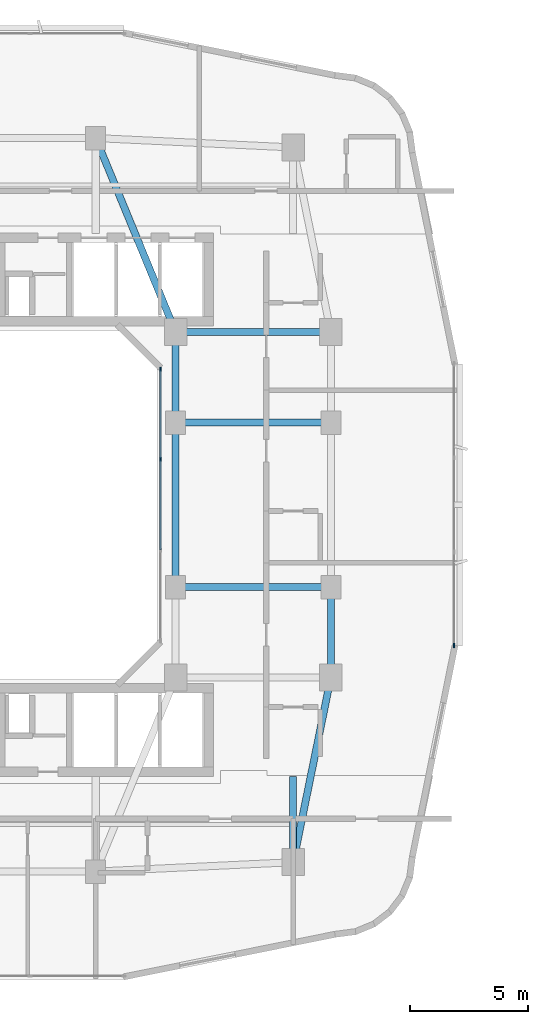
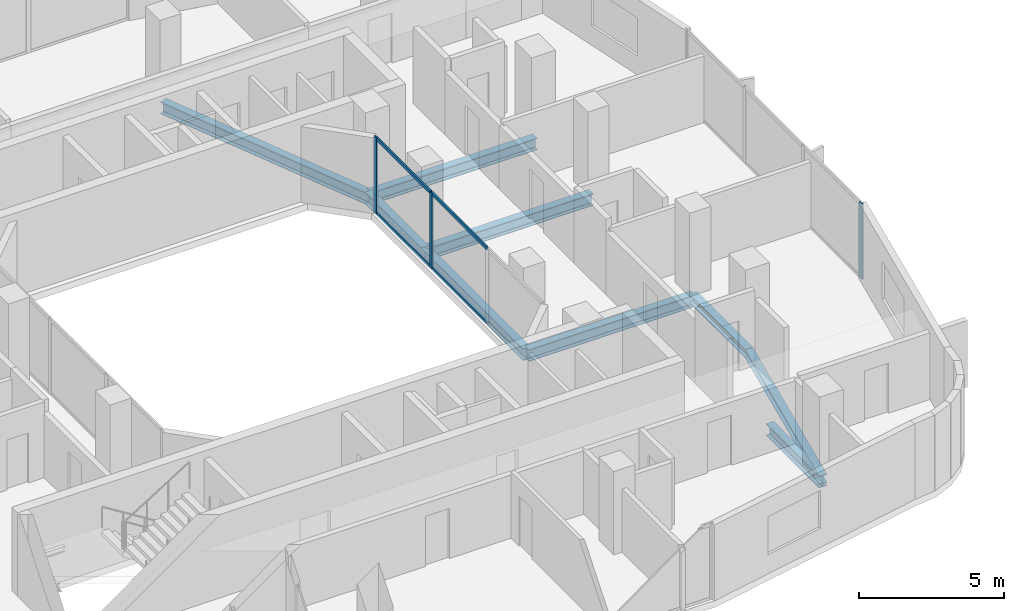
# One storey, part 4 of 26: 9 beams, 7 members, 2 elements without a shape of their own.
"""IFC4 building model written with IfcOpenShell, lengths in metres."""

import ifcopenshell
import ifcopenshell.guid

model = None  # the IFC model being written
_history = None  # IfcOwnerHistory: only IFC2X3 demands one
_inside = {}  # id of a spatial element -> (the spatial element, [elements in it])
_under = {}  # id of a project, library or spatial element -> (it, [spatial elements below it])
_declared = {}  # id of a project -> (the project, [libraries it declares])
_typed = {}  # id of a type object -> (the type object, [elements of that type])
_made_of = {}  # id of a material, layer set ... -> (it, [elements and type objects made of it])


def new_model(schema):
    """Start an empty IFC model of exactly this schema.

    Asked for "IFC4X3", IfcOpenShell would pick the latest addendum, in which some entities
    have other attributes; the version numbers below select the first issue.
    IFC2X3 requires an IfcOwnerHistory on every rooted entity: one is made here for all.
    """
    global model, _history
    if schema == "IFC4X3":
        model = ifcopenshell.file(schema_version=(4, 3, 0, 0))
    else:
        model = ifcopenshell.file(schema=schema)
    _inside.clear()
    _under.clear()
    _declared.clear()
    _typed.clear()
    _made_of.clear()
    _history = None
    if model.schema == "IFC2X3":
        org = make("IfcOrganization", Name="unknown")
        user = make(
            "IfcPersonAndOrganization",
            ThePerson=make("IfcPerson", FamilyName="unknown"),
            TheOrganization=org,
        )
        app = make(
            "IfcApplication",
            ApplicationDeveloper=org,
            Version="unknown",
            ApplicationFullName="unknown",
            ApplicationIdentifier="unknown",
        )
        _history = make(
            "IfcOwnerHistory",
            OwningUser=user,
            OwningApplication=app,
            ChangeAction="ADDED",
            CreationDate=0,
        )
    return model


def make(cls, **values):
    """One entity of the class cls with the attributes given. An attribute that is None is left unset."""
    return model.create_entity(
        cls, **{name: value for name, value in values.items() if value is not None}
    )


def rooted(cls, **values):
    """An entity with a GlobalId (a new one), such as an element, a storey or a relation."""
    return make(cls, GlobalId=ifcopenshell.guid.new(), OwnerHistory=_history, **values)


def si_unit(unit_type, name, prefix=None):
    """IfcSIUnit, for example si_unit("LENGTHUNIT", "METRE", prefix="MILLI")."""
    return make("IfcSIUnit", UnitType=unit_type, Prefix=prefix, Name=name)


def derived_unit(unit_type, elements):
    """IfcDerivedUnit: a product of units, each with its exponent."""
    return make(
        "IfcDerivedUnit",
        Elements=[
            make("IfcDerivedUnitElement", Unit=unit, Exponent=power)
            for unit, power in elements
        ],
        UnitType=unit_type,
    )


def assignment(units):
    """IfcUnitAssignment: the units of a project."""
    return None if units is None else make("IfcUnitAssignment", Units=units)


def point(xyz):
    """IfcCartesianPoint."""
    return None if xyz is None else make("IfcCartesianPoint", Coordinates=xyz)


def direction(xyz):
    """IfcDirection."""
    return None if xyz is None else make("IfcDirection", DirectionRatios=xyz)


def frame(location, z_axis=None, x_axis=None):
    """IfcAxis2Placement3D, a coordinate frame: its origin and axes. An axis left out is left unset."""
    return make(
        "IfcAxis2Placement3D",
        Location=point(location),
        Axis=direction(z_axis),
        RefDirection=direction(x_axis),
    )


def frame_2d(location, x_axis=None):
    """IfcAxis2Placement2D, a coordinate frame in the plane: its origin and x axis."""
    return make(
        "IfcAxis2Placement2D", Location=point(location), RefDirection=direction(x_axis)
    )


def origin():
    """The frame at (0, 0, 0) with its axes left unset."""
    return frame((0.0, 0.0, 0.0))


def origin_2d():
    """The frame at (0, 0) in the plane with its x axis left unset."""
    return frame_2d((0.0, 0.0))


def place(relative_to, where):
    """IfcLocalPlacement: puts the frame where relative to a parent placement (None: the world)."""
    return make(
        "IfcLocalPlacement", PlacementRelTo=relative_to, RelativePlacement=where
    )


def context(
    kind, dimensions, precision=None, world=None, true_north=None, identifier=None
):
    """IfcGeometricRepresentationContext, for example the 3D "Model" context."""
    return make(
        "IfcGeometricRepresentationContext",
        ContextIdentifier=identifier,
        ContextType=kind,
        CoordinateSpaceDimension=dimensions,
        Precision=precision,
        WorldCoordinateSystem=world,
        TrueNorth=true_north,
    )


def subcontext(parent, identifier, kind, view, scale=None):
    """IfcGeometricRepresentationSubContext, for example "Body" below "Model"."""
    return make(
        "IfcGeometricRepresentationSubContext",
        ContextIdentifier=identifier,
        ContextType=kind,
        ParentContext=parent,
        TargetScale=scale,
        TargetView=view,
    )


def project(units=None, contexts=None):
    """IfcProject with its units and contexts."""
    return rooted(
        "IfcProject",
        Name="project",
        RepresentationContexts=contexts,
        UnitsInContext=assignment(units),
    )


def spatial(cls, under=None, at=None, **own):
    """A site, building, storey or space (cls), placed at a placement, below another one or the project."""
    s = rooted(cls, ObjectPlacement=at, **own)
    if under is not None:
        _under.setdefault(under.id(), (under, []))[1].append(s)
    return s


def profile(cls, at=None, kind="AREA", **sizes):
    """A parametric profile (cls). Its sizes go by their IFC names, for example OverallWidth=200.0."""
    return make(cls, ProfileType=kind, Position=at, **sizes)


def rectangle(**sizes):
    """IfcRectangleProfileDef."""
    return profile("IfcRectangleProfileDef", **sizes)


def i_section(**sizes):
    """IfcIShapeProfileDef."""
    return profile("IfcIShapeProfileDef", **sizes)


def extrude(swept, where, along, depth):
    """IfcExtrudedAreaSolid: the profile swept, set in the frame where, extruded along a direction by depth."""
    return make(
        "IfcExtrudedAreaSolid",
        SweptArea=swept,
        Position=where,
        ExtrudedDirection=direction(along),
        Depth=depth,
    )


def shape(context_of_items, identifier, shape_type, items):
    """IfcShapeRepresentation: the items that make up one representation, for example the "Body"."""
    return make(
        "IfcShapeRepresentation",
        ContextOfItems=context_of_items,
        RepresentationIdentifier=identifier,
        RepresentationType=shape_type,
        Items=items,
    )


def material(Name=None, Category=None):
    """IfcMaterial."""
    return make("IfcMaterial", Name=Name, Category=Category)


def layer(
    of_material, thickness, ventilated=None, Name=None, Category=None, Priority=None
):
    """IfcMaterialLayer: one layer of a wall or slab, of a material (None: an air gap)."""
    return make(
        "IfcMaterialLayer",
        Material=of_material,
        LayerThickness=thickness,
        IsVentilated=ventilated,
        Name=Name,
        Category=Category,
        Priority=Priority,
    )


def layer_set(layers, Name=None):
    """IfcMaterialLayerSet."""
    return make("IfcMaterialLayerSet", MaterialLayers=layers, LayerSetName=Name)


def material_profile(
    of_material, cross_section, Name=None, Category=None, Priority=None
):
    """IfcMaterialProfile: a cross section and its material."""
    return make(
        "IfcMaterialProfile",
        Name=Name,
        Material=of_material,
        Profile=cross_section,
        Priority=Priority,
        Category=Category,
    )


def profile_set(profiles, Name=None, composite=None):
    """IfcMaterialProfileSet."""
    return make(
        "IfcMaterialProfileSet",
        Name=Name,
        MaterialProfiles=profiles,
        CompositeProfile=composite,
    )


def made_of(thing, what):
    """Note that an element or type object is made of a material, layer set ...; save() writes the relation."""
    if what is not None:
        _made_of.setdefault(what.id(), (what, []))[1].append(thing)
    return thing


def type_object(cls, material=None, **own):
    """A type object (cls), such as IfcWallType, which elements share."""
    return made_of(rooted(cls, **own), material)


def element(
    cls,
    number,
    at=None,
    inside=None,
    cuts=None,
    type_object=None,
    material=None,
    context=None,
    identifier="Body",
    shape_type=None,
    held_by="IfcProductDefinitionShape",
    body=None,
    shapes=None,
    **own,
):
    """One element of the class cls, such as IfcWall. Its Tag is "e" and its number.

    at: its placement. inside: the storey or other place that contains it. cuts: it is an
    opening in that element (IfcRelVoidsElement). A single representation is given by context,
    identifier, shape_type and body (its items); several are given by shapes. held_by: the class
    of the entity that holds the representations. save() writes the other relations.
    """
    e = rooted(cls, Tag="e%d" % number, ObjectPlacement=at, **own)
    if body is not None:
        shapes = [shape(context, identifier, shape_type, body)]
    if shapes is not None:
        e.Representation = make(held_by, Representations=shapes)
    if inside is not None:
        _inside.setdefault(inside.id(), (inside, []))[1].append(e)
    if cuts is not None:
        rooted(
            "IfcRelVoidsElement", RelatingBuildingElement=cuts, RelatedOpeningElement=e
        )
    if type_object is not None:
        _typed.setdefault(type_object.id(), (type_object, []))[1].append(e)
    return made_of(e, material)


def aggregate(whole, parts):
    """IfcRelAggregates: a whole, such as a stair, and the parts it consists of."""
    return rooted("IfcRelAggregates", RelatingObject=whole, RelatedObjects=parts)


def save(model, path):
    """Write the relations noted so far, then the file.

    IfcRelAggregates (storeys below a building ...), IfcRelContainedInSpatialStructure (elements
    in a storey), IfcRelDefinesByType, IfcRelAssociatesMaterial and IfcRelDeclares: one each for
    every whole, place, type object, material and project.
    """
    for whole, parts in _under.values():
        aggregate(whole, parts)
    for where, things in _inside.values():
        rooted(
            "IfcRelContainedInSpatialStructure",
            RelatedElements=things,
            RelatingStructure=where,
        )
    for kind, things in _typed.values():
        rooted("IfcRelDefinesByType", RelatedObjects=things, RelatingType=kind)
    for what, things in _made_of.values():
        rooted("IfcRelAssociatesMaterial", RelatedObjects=things, RelatingMaterial=what)
    for by, libraries in _declared.values():
        rooted("IfcRelDeclares", RelatingContext=by, RelatedDefinitions=libraries)
    model.write(path)


model = new_model("IFC4")

# Units and contexts
model_context = context("Model", 3, precision=1e-05, world=origin(), true_north=direction((0.0, 1.0)))
body_context = subcontext(model_context, "Body", "Model", "MODEL_VIEW")
ifc_project = project(units=[si_unit("LENGTHUNIT", "METRE"), si_unit("AREAUNIT", "SQUARE_METRE"), si_unit("VOLUMEUNIT", "CUBIC_METRE"), si_unit("PLANEANGLEUNIT", "RADIAN"), si_unit("MASSUNIT", "GRAM", prefix="KILO"), derived_unit("THERMALTRANSMITTANCEUNIT", [(si_unit("POWERUNIT", "WATT"), 1), (si_unit("LENGTHUNIT", "METRE"), -2), (si_unit("THERMODYNAMICTEMPERATUREUNIT", "KELVIN"), -1)])], contexts=[model_context])

# Site, building, storey
site_placement = place(None, origin())
site = spatial("IfcSite", under=ifc_project, at=site_placement, CompositionType="ELEMENT")
building_placement = place(site_placement, origin())
building = spatial("IfcBuilding", under=site, at=building_placement, Name="Kivonza Crest Hotel", CompositionType="ELEMENT")
storey_placement = place(building_placement, frame((0.0, 0.0, 116.0)))
storey = spatial("IfcBuildingStorey", under=building, at=storey_placement, Name="L31", CompositionType="ELEMENT", Elevation=116.0)

# Beams
ifc_material_1 = material(Name="Steel S355", Category="steel")
ifc_material_profile_1 = material_profile(ifc_material_1, i_section(OverallWidth=0.300048828125, OverallDepth=0.360107421875, WebThickness=0.012451171875, FlangeThickness=0.0224609375, FilletRadius=0.027099609375, at=origin_2d()), Name="HEB 360")
ifc_profile_set_1 = profile_set([ifc_material_profile_1], Name="Steel S355")
beam_type_1 = type_object("IfcBeamType", Name="BM-HEB360", PredefinedType="SPANDREL", material=ifc_profile_set_1)
beam_1_placement = place(storey_placement, frame((34.199951171875, 9.800048828125, -0.4599609375), z_axis=(0.199730733965, 0.979850822273, 0.0), x_axis=(-0.979850822273, 0.199730733965, 0.0)))
element("IfcBeam", 1, at=beam_1_placement, inside=storey, type_object=beam_type_1, Name="Tower T1 L31 perimeter spandrel SE-PSE", PredefinedType="SPANDREL", context=body_context, shape_type="SweptSolid", body=[
    extrude(i_section(OverallWidth=0.300048828125, OverallDepth=0.360107421875, WebThickness=0.012451171875, FlangeThickness=0.0224609375, FilletRadius=0.027099609375, at=origin_2d()), origin(), (0.0, 0.0, 1.0), 8.01123046875),
])
beam_2_placement = place(storey_placement, frame((35.800048828125, 17.64990234375, -0.4599609375), z_axis=(0.0, 1.0, 0.0), x_axis=(-1.0, 0.0, 0.0)))
element("IfcBeam", 2, at=beam_2_placement, inside=storey, type_object=beam_type_1, Name="Tower T1 L31 perimeter spandrel PSE-E1", PredefinedType="SPANDREL", context=body_context, shape_type="SweptSolid", body=[
    extrude(i_section(OverallWidth=0.300048828125, OverallDepth=0.360107421875, WebThickness=0.012451171875, FlangeThickness=0.0224609375, FilletRadius=0.027099609375, at=origin_2d()), origin(), (0.0, 0.0, 1.0), 3.85009765625),
])
ifc_material_profile_2 = material_profile(ifc_material_1, i_section(OverallWidth=0.300048828125, OverallDepth=0.5, WebThickness=0.014404296875, FlangeThickness=0.028076171875, FilletRadius=0.027099609375, at=origin_2d()), Name="HEB 500")
ifc_profile_set_2 = profile_set([ifc_material_profile_2], Name="Steel S355")
beam_type_2 = type_object("IfcBeamType", Name="BM-HEB500", PredefinedType="BEAM", material=ifc_profile_set_2)
beam_3_placement = place(storey_placement, frame((25.800048828125, 40.60009765625, -0.530029296875), z_axis=(0.381022260404, -0.924565864109, 0.0), x_axis=(0.924565864109, 0.381022260404, 0.0)))
element("IfcBeam", 3, at=beam_3_placement, inside=storey, type_object=beam_type_2, Name="Tower T1 L31 primary girder N1-TNE", PredefinedType="BEAM", context=body_context, shape_type="SweptSolid", body=[
    extrude(i_section(OverallWidth=0.300048828125, OverallDepth=0.5, WebThickness=0.014404296875, FlangeThickness=0.028076171875, FilletRadius=0.027099609375, at=origin_2d()), origin(), (0.0, 0.0, 1.0), 8.923095703125),
])
beam_4_placement = place(storey_placement, frame((29.199951171875, 32.35009765625, -0.530029296875), z_axis=(1.0, 0.0, 0.0), x_axis=(0.0, 1.0, 0.0)))
element("IfcBeam", 4, at=beam_4_placement, inside=storey, type_object=beam_type_2, Name="Tower T1 L31 primary girder TNE-PNE", PredefinedType="BEAM", context=body_context, shape_type="SweptSolid", body=[
    extrude(i_section(OverallWidth=0.300048828125, OverallDepth=0.5, WebThickness=0.014404296875, FlangeThickness=0.028076171875, FilletRadius=0.027099609375, at=origin_2d()), origin(), (0.0, 0.0, 1.0), 6.60009765625),
])
beam_5_placement = place(storey_placement, frame((29.199951171875, 21.5, -0.530029296875), z_axis=(0.0, 1.0, 0.0), x_axis=(-1.0, 0.0, 0.0)))
element("IfcBeam", 5, at=beam_5_placement, inside=storey, type_object=beam_type_2, Name="Tower T1 L31 primary girder WR1-WR2", PredefinedType="BEAM", context=body_context, shape_type="SweptSolid", body=[
    extrude(i_section(OverallWidth=0.300048828125, OverallDepth=0.5, WebThickness=0.014404296875, FlangeThickness=0.028076171875, FilletRadius=0.027099609375, at=origin_2d()), origin(), (0.0, 0.0, 1.0), 7.0),
])
beam_6_placement = place(storey_placement, frame((29.199951171875, 28.5, -0.530029296875), z_axis=(0.0, 1.0, 0.0), x_axis=(-1.0, 0.0, 0.0)))
element("IfcBeam", 6, at=beam_6_placement, inside=storey, type_object=beam_type_2, Name="Tower T1 L31 primary girder WR2-TNE", PredefinedType="BEAM", context=body_context, shape_type="SweptSolid", body=[
    extrude(i_section(OverallWidth=0.300048828125, OverallDepth=0.5, WebThickness=0.014404296875, FlangeThickness=0.028076171875, FilletRadius=0.027099609375, at=origin_2d()), origin(), (0.0, 0.0, 1.0), 3.85009765625),
])
for number, where, z_axis, x_axis, name in (
    (7, (29.199951171875, 21.5, -0.530029296875), (1.0, 0.0, 0.0), (0.0, 1.0, 0.0), "Tower T1 L31 primary girder WR1-E1"),
    (8, (29.199951171875, 28.5, -0.530029296875), (1.0, 0.0, 0.0), (0.0, 1.0, 0.0), "Tower T1 L31 primary girder WR2-E2"),
):
    element("IfcBeam", number, at=place(storey_placement, frame(where, z_axis=z_axis, x_axis=x_axis)), inside=storey, type_object=beam_type_2, Name=name, PredefinedType="BEAM", context=body_context, shape_type="SweptSolid", body=[
        extrude(i_section(OverallWidth=0.300048828125, OverallDepth=0.5, WebThickness=0.014404296875, FlangeThickness=0.028076171875, FilletRadius=0.027099609375, at=origin_2d()), origin(), (0.0, 0.0, 1.0), 6.60009765625),
    ])
beam_7_placement = place(storey_placement, frame((34.199951171875, 9.800048828125, -0.530029296875), z_axis=(0.0, 1.0, 0.0), x_axis=(-1.0, 0.0, 0.0)))
element("IfcBeam", 9, at=beam_7_placement, inside=storey, type_object=beam_type_2, Name="Tower T1 L31 radial core girder RSE", PredefinedType="BEAM", context=body_context, shape_type="SweptSolid", body=[
    extrude(i_section(OverallWidth=0.300048828125, OverallDepth=0.5, WebThickness=0.014404296875, FlangeThickness=0.028076171875, FilletRadius=0.027099609375, at=origin_2d()), origin(), (0.0, 0.0, 1.0), 3.64990234375),
])

# Curtain wall, member
ifc_material_2 = material(Name="Anodised bronze aluminium and low-E double glazing", Category="aluminium")
ifc_layer_1 = layer(ifc_material_2, 0.179931640625)
ifc_layer_set_1 = layer_set([ifc_layer_1], Name="Anodised bronze aluminium and low-E double glazing")
curtain_wall_type_1 = type_object("IfcCurtainWallType", Name="CW-SYS-2", PredefinedType="NOTDEFINED", material=ifc_layer_set_1)
curtain_wall_1_placement = place(storey_placement, origin())
curtain_wall_1 = element("IfcCurtainWall", 10, at=curtain_wall_1_placement, inside=storey, type_object=curtain_wall_type_1, Name="L31 unitised curtain wall CW-T1-L31-17", PredefinedType="NOTDEFINED")
ifc_material_3 = material(Name="Anodised bronze aluminium", Category="aluminium")
ifc_material_profile_3 = material_profile(ifc_material_3, rectangle(XDim=0.06494140625, YDim=0.179931640625, at=origin_2d()), Name="CW-M 65x180")
ifc_profile_set_3 = profile_set([ifc_material_profile_3], Name="Anodised bronze aluminium")
member_type_1 = type_object("IfcMemberType", Name="CW-MUL-65x180", PredefinedType="MULLION", material=ifc_profile_set_3)
member_1_placement = place(storey_placement, frame((41.0400390625, 19.012451171875, 0.0), z_axis=(0.0, 0.0, 1.0), x_axis=(-1.0, 0.0, 0.0)))
member_1 = element("IfcMember", 11, at=member_1_placement, type_object=member_type_1, Name="CW-2 mullion 1", PredefinedType="MULLION", context=body_context, shape_type="SweptSolid", body=[
    extrude(rectangle(XDim=0.06494140625, YDim=0.179931640625, at=origin_2d()), origin(), (0.0, 0.0, 1.0), 3.179931640625),
])
aggregate(curtain_wall_1, [member_1])

# Curtain wall, members
ifc_layer_2 = layer(ifc_material_2, 0.159912109375)
ifc_layer_set_2 = layer_set([ifc_layer_2], Name="Anodised bronze aluminium and low-E double glazing")
curtain_wall_type_2 = type_object("IfcCurtainWallType", Name="CW-SYS-5", PredefinedType="NOTDEFINED", material=ifc_layer_set_2)
curtain_wall_2_placement = place(storey_placement, origin())
curtain_wall_2 = element("IfcCurtainWall", 12, at=curtain_wall_2_placement, inside=storey, type_object=curtain_wall_type_2, Name="L31 unitised curtain wall CW-WELL-T1-L31-3", PredefinedType="NOTDEFINED")
member_2_placement = place(storey_placement, frame((28.56005859375, 26.933349609375, 0.0), z_axis=(0.0, 0.0, 1.0), x_axis=(-1.0, 0.0, 0.0)))
member_2 = element("IfcMember", 13, at=member_2_placement, type_object=member_type_1, Name="CW-5 mullion 3", PredefinedType="MULLION", context=body_context, shape_type="SweptSolid", body=[
    extrude(rectangle(XDim=0.06494140625, YDim=0.179931640625, at=origin_2d()), origin(), (0.0, 0.0, 1.0), 3.179931640625),
])
member_3_placement = place(storey_placement, frame((28.56005859375, 30.767578125, 0.0), z_axis=(0.0, 0.0, 1.0), x_axis=(-1.0, 0.0, 0.0)))
member_3 = element("IfcMember", 14, at=member_3_placement, type_object=member_type_1, Name="CW-5 mullion 4", PredefinedType="MULLION", context=body_context, shape_type="SweptSolid", body=[
    extrude(rectangle(XDim=0.06494140625, YDim=0.179931640625, at=origin_2d()), origin(), (0.0, 0.0, 1.0), 3.179931640625),
])
ifc_material_profile_4 = material_profile(ifc_material_3, rectangle(XDim=0.06494140625, YDim=0.139892578125, at=origin_2d()), Name="CW-T 65x140")
ifc_profile_set_4 = profile_set([ifc_material_profile_4], Name="Anodised bronze aluminium")
member_type_2 = type_object("IfcMemberType", Name="CW-TRN-65x140", PredefinedType="USERDEFINED", material=ifc_profile_set_4)
member_4_placement = place(storey_placement, frame((28.56005859375, 23.09912109375, 0.032470703125), z_axis=(0.0, 1.0, 0.0), x_axis=(-1.0, 0.0, 0.0)))
member_4 = element("IfcMember", 15, at=member_4_placement, type_object=member_type_2, Name="CW-5 transom 2.1", ObjectType="TRANSOM", PredefinedType="USERDEFINED", context=body_context, shape_type="SweptSolid", body=[
    extrude(rectangle(XDim=0.06494140625, YDim=0.139892578125, at=origin_2d()), origin(), (0.0, 0.0, 1.0), 3.8017578125),
])
member_5_placement = place(storey_placement, frame((28.56005859375, 23.09912109375, 3.1474609375), z_axis=(0.0, 1.0, 0.0), x_axis=(-1.0, 0.0, 0.0)))
member_5 = element("IfcMember", 16, at=member_5_placement, type_object=member_type_2, Name="CW-5 transom 2.2", ObjectType="TRANSOM", PredefinedType="USERDEFINED", context=body_context, shape_type="SweptSolid", body=[
    extrude(rectangle(XDim=0.06494140625, YDim=0.139892578125, at=origin_2d()), origin(), (0.0, 0.0, 1.0), 3.8017578125),
])
member_6_placement = place(storey_placement, frame((28.56005859375, 26.9658203125, 0.032470703125), z_axis=(0.0, 1.0, 0.0), x_axis=(-1.0, 0.0, 0.0)))
member_6 = element("IfcMember", 17, at=member_6_placement, type_object=member_type_2, Name="CW-5 transom 3.1", ObjectType="TRANSOM", PredefinedType="USERDEFINED", context=body_context, shape_type="SweptSolid", body=[
    extrude(rectangle(XDim=0.06494140625, YDim=0.139892578125, at=origin_2d()), origin(), (0.0, 0.0, 1.0), 3.769287109375),
])
member_7_placement = place(storey_placement, frame((28.56005859375, 26.9658203125, 3.1474609375), z_axis=(0.0, 1.0, 0.0), x_axis=(-1.0, 0.0, 0.0)))
member_7 = element("IfcMember", 18, at=member_7_placement, type_object=member_type_2, Name="CW-5 transom 3.2", ObjectType="TRANSOM", PredefinedType="USERDEFINED", context=body_context, shape_type="SweptSolid", body=[
    extrude(rectangle(XDim=0.06494140625, YDim=0.139892578125, at=origin_2d()), origin(), (0.0, 0.0, 1.0), 3.769287109375),
])
aggregate(curtain_wall_2, [member_2, member_3, member_4, member_5, member_6, member_7])

save(model, "model.ifc")
